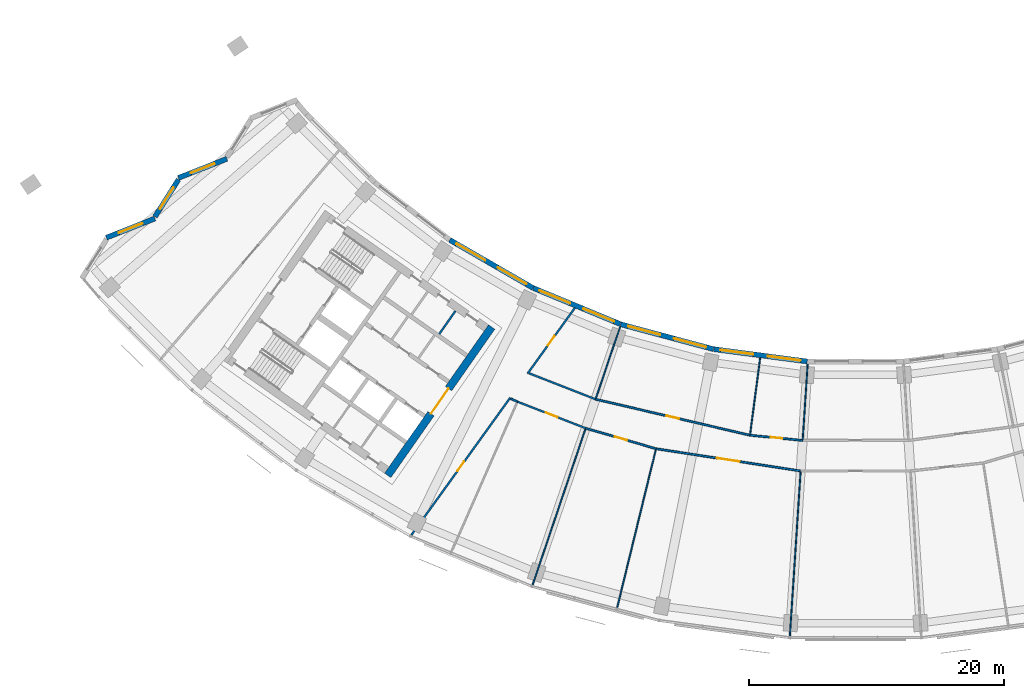
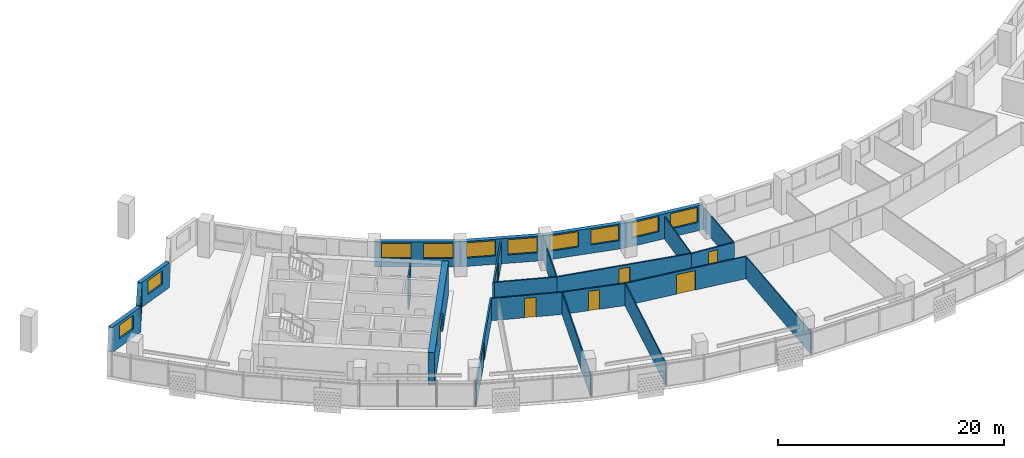
# One storey, part 4 of 26: 24 walls, 11 windows, 8 doors, 19 openings.
"""IFC4 building model written with IfcOpenShell, lengths in metres."""

from ifc_helpers import new_model, si_unit, direction, frame, frame_2d, origin, place, context, subcontext, project, spatial, rectangle, extrude, material, layer, layer_set, type_object, element, fill, save


model = new_model("IFC4")

# Units and contexts
model_context = context("Model", 3, precision=1e-05, world=origin(), true_north=direction((0.0, 1.0)))
body_context = subcontext(model_context, "Body", "Model", "MODEL_VIEW")
ifc_project = project(units=[si_unit("LENGTHUNIT", "METRE"), si_unit("AREAUNIT", "SQUARE_METRE"), si_unit("VOLUMEUNIT", "CUBIC_METRE"), si_unit("PLANEANGLEUNIT", "RADIAN"), si_unit("MASSUNIT", "GRAM", prefix="KILO")], contexts=[model_context])

# Site, building, storey
site_placement = place(None, origin())
site = spatial("IfcSite", under=ifc_project, at=site_placement, CompositionType="ELEMENT")
building_placement = place(site_placement, origin())
building = spatial("IfcBuilding", under=site, at=building_placement, Name="Qamariyya Broadcast Tower", CompositionType="ELEMENT")
storey_placement = place(building_placement, frame((0.0, 0.0, 160.699951171875)))
storey = spatial("IfcBuildingStorey", under=building, at=storey_placement, Name="L37", CompositionType="ELEMENT", Elevation=160.699951171875)

# Wall, opening, door
ifc_material_1 = material(Name="Concrete C60/75", Category="concrete")
ifc_layer_1 = layer(ifc_material_1, 0.60009765625)
ifc_layer_set_1 = layer_set([ifc_layer_1], Name="Core wall 600 mm Concrete C60/75")
wall_type_1 = type_object("IfcWallType", Name="Core wall 600 mm Concrete C60/75", PredefinedType="SHEAR", material=ifc_layer_set_1)
wall_1_placement = place(storey_placement, frame((-36.66748046875, -66.005126953125, 0.0), z_axis=(0.0, 0.0, 1.0), x_axis=(0.573568499524, 0.819157601658, 0.0)))
wall_1 = element("IfcWall", 1, at=wall_1_placement, inside=storey, type_object=wall_type_1, Name="k-W-L37-WA", PredefinedType="SHEAR", context=body_context, shape_type="SweptSolid", body=[
    extrude(rectangle(XDim=14.19970703125, YDim=0.60009765625, at=frame_2d((7.099853515625, 0.0))), origin(), (0.0, 0.0, 1.0), 3.5),
])
opening_1_placement = place(wall_1_placement, frame((5.89990234375, 0.0, 0.0)))
opening_1 = element("IfcOpeningElement", 2, at=opening_1_placement, cuts=wall_1, Name="Opening KD3-W1", PredefinedType="OPENING", context=body_context, shape_type="SweptSolid", body=[
    extrude(rectangle(XDim=2.39990234375, YDim=2.10009765625, at=frame_2d((1.199951171875, 1.050048828125))), frame((0.0, 0.31005859375, 0.0), z_axis=(0.0, -1.0, 0.0), x_axis=(1.0, 0.0, 0.0)), (0.0, 0.0, 1.0), 0.6201171875),
])
ifc_material_2 = material(Name="Steel fire-resisting door leaf", Category="steel")
door_type_1 = type_object("IfcDoorType", Name="Lift lobby door KD3", OperationType="DOUBLE_DOOR_SINGLE_SWING", PredefinedType="DOOR", material=ifc_material_2)
door_1_placement = place(opening_1_placement, origin())
door_1 = element("IfcDoor", 3, at=door_1_placement, inside=storey, type_object=door_type_1, Name="k-W-L37-WA-D1", OperationType="DOUBLE_DOOR_SINGLE_SWING", OverallHeight=2.10009765625, OverallWidth=2.39990234375, PredefinedType="DOOR", context=body_context, shape_type="SweptSolid", body=[
    extrude(rectangle(XDim=2.39990234375, YDim=2.10009765625, at=frame_2d((1.199951171875, 1.050048828125))), frame((0.0, 0.02490234375, 0.0), z_axis=(0.0, -1.0, 0.0), x_axis=(1.0, 0.0, 0.0)), (0.0, 0.0, 1.0), 0.050048828125),
])
fill(opening_1, door_1)

ifc_material_3 = material(Name="Gypsum board partition")
ifc_layer_2 = layer(ifc_material_3, 0.14990234375)
ifc_layer_set_2 = layer_set([ifc_layer_2], Name="Corridor partition 150 EI 60")
wall_type_2 = type_object("IfcWallType", Name="Corridor partition 150 EI 60", PredefinedType="PARTITIONING", material=ifc_layer_set_2)
wall_2_placement = place(storey_placement, frame((-27.056884765625, -59.899169921875, 0.0), z_axis=(0.0, 0.0, 1.0), x_axis=(-0.584166374063, -0.81163393683, 0.0)))
wall_2 = element("IfcWall", 4, at=wall_2_placement, inside=storey, type_object=wall_type_2, Name="Partition L37-003", PredefinedType="PARTITIONING", context=body_context, shape_type="SweptSolid", body=[
    extrude(rectangle(XDim=13.296142578125, YDim=0.14990234375, at=frame_2d((6.64794921875, 0.0))), origin(), (0.0, 0.0, 1.0), 2.400146484375),
])
opening_2_placement = place(wall_2_placement, frame((6.197998046875, 0.0, 0.0)))
opening_2 = element("IfcOpeningElement", 5, at=opening_2_placement, cuts=wall_2, Name="Opening L37-D01", PredefinedType="OPENING", context=body_context, shape_type="SweptSolid", body=[
    extrude(rectangle(XDim=0.89990234375, YDim=2.10009765625, at=frame_2d((0.449951171875, 1.050048828125))), frame((0.0, 0.0849609375, 0.0), z_axis=(0.0, -1.0, 0.0), x_axis=(1.0, 0.0, 0.0)), (0.0, 0.0, 1.0), 0.169921875),
])
ifc_material_4 = material(Name="Timber fire door leaf", Category="wood")
door_type_2 = type_object("IfcDoorType", Name="Fire door 900 x 2100 FD60", OperationType="NOTDEFINED", PredefinedType="DOOR", material=ifc_material_4)
door_2_placement = place(opening_2_placement, origin())
door_2 = element("IfcDoor", 6, at=door_2_placement, inside=storey, type_object=door_type_2, Name="Door L37-D01", OperationType="SINGLE_SWING_RIGHT", OverallHeight=2.10009765625, OverallWidth=0.89990234375, PredefinedType="DOOR", context=body_context, shape_type="SweptSolid", body=[
    extrude(rectangle(XDim=0.89990234375, YDim=2.10009765625, at=frame_2d((0.449951171875, 1.050048828125))), frame((0.0, 0.02490234375, 0.0), z_axis=(0.0, -1.0, 0.0), x_axis=(1.0, 0.0, 0.0)), (0.0, 0.0, 1.0), 0.050048828125),
])
fill(opening_2, door_2)

# Wall
wall_3_placement = place(storey_placement, frame((-27.0322265625, -59.990478515625, 0.0), z_axis=(0.0, 0.0, 1.0), x_axis=(0.913255339256, -0.407387635207, 0.0)))
element("IfcWall", 7, at=wall_3_placement, inside=storey, type_object=wall_type_2, Name="Partition L37-004", PredefinedType="PARTITIONING", context=body_context, shape_type="SweptSolid", body=[
    extrude(rectangle(XDim=0.580078125, YDim=0.14990234375, at=frame_2d((0.2900390625, 0.0))), origin(), (0.0, 0.0, 1.0), 2.400146484375),
])

# Wall, opening, door
wall_4_placement = place(storey_placement, frame((-21.150634765625, -62.30810546875, 0.0), z_axis=(0.0, 0.0, 1.0), x_axis=(-0.932002277836, 0.362452416338, 0.0)))
wall_4 = element("IfcWall", 8, at=wall_4_placement, inside=storey, type_object=wall_type_2, Name="Partition L37-005", PredefinedType="PARTITIONING", context=body_context, shape_type="SweptSolid", body=[
    extrude(rectangle(XDim=5.7421875, YDim=0.14990234375, at=frame_2d((2.87109375, 0.0))), origin(), (0.0, 0.0, 1.0), 2.400146484375),
])
opening_3_placement = place(wall_4_placement, frame((2.37109375, 0.0, 0.0)))
opening_3 = element("IfcOpeningElement", 9, at=opening_3_placement, cuts=wall_4, Name="Opening L37-D02", PredefinedType="OPENING", context=body_context, shape_type="SweptSolid", body=[
    extrude(rectangle(XDim=1.0, YDim=2.10009765625, at=frame_2d((0.5, 1.050048828125))), frame((0.0, 0.0849609375, 0.0), z_axis=(0.0, -1.0, 0.0), x_axis=(1.0, 0.0, 0.0)), (0.0, 0.0, 1.0), 0.169921875),
])
door_type_3 = type_object("IfcDoorType", Name="Fire door 1000 x 2100 FD60", OperationType="NOTDEFINED", PredefinedType="DOOR", material=ifc_material_4)
door_3_placement = place(opening_3_placement, origin())
door_3 = element("IfcDoor", 10, at=door_3_placement, inside=storey, type_object=door_type_3, Name="Door L37-D02", OperationType="SINGLE_SWING_RIGHT", OverallHeight=2.10009765625, OverallWidth=1.0, PredefinedType="DOOR", context=body_context, shape_type="SweptSolid", body=[
    extrude(rectangle(XDim=1.0, YDim=2.10009765625, at=frame_2d((0.5, 1.050048828125))), frame((0.0, 0.02490234375, 0.0), z_axis=(0.0, -1.0, 0.0), x_axis=(1.0, 0.0, 0.0)), (0.0, 0.0, 1.0), 0.050048828125),
])
fill(opening_3, door_3)

# Wall
wall_5_placement = place(storey_placement, frame((-25.599365234375, -57.998291015625, 0.0), z_axis=(0.0, 0.0, 1.0), x_axis=(0.931580498527, -0.363535108021, 0.0)))
element("IfcWall", 11, at=wall_5_placement, inside=storey, type_object=wall_type_2, Name="Partition L37-006", PredefinedType="PARTITIONING", context=body_context, shape_type="SweptSolid", body=[
    extrude(rectangle(XDim=5.603515625, YDim=0.14990234375, at=frame_2d((2.8017578125, 0.0))), origin(), (0.0, 0.0, 1.0), 2.400146484375),
])

# Wall, opening, door
wall_6_placement = place(storey_placement, frame((-22.0, -52.873046875, 0.0), z_axis=(0.0, 0.0, 1.0), x_axis=(-0.58417014289, -0.811631224236, 0.0)))
wall_6 = element("IfcWall", 12, at=wall_6_placement, inside=storey, type_object=wall_type_2, Name="Partition L37-008", PredefinedType="PARTITIONING", context=body_context, shape_type="SweptSolid", body=[
    extrude(rectangle(XDim=6.356201171875, YDim=0.14990234375, at=frame_2d((3.17822265625, 0.0))), origin(), (0.0, 0.0, 1.0), 2.400146484375),
])
opening_4_placement = place(wall_6_placement, frame((2.72802734375, 0.0, 0.0)))
opening_4 = element("IfcOpeningElement", 13, at=opening_4_placement, cuts=wall_6, Name="Opening L37-D08", PredefinedType="OPENING", context=body_context, shape_type="SweptSolid", body=[
    extrude(rectangle(XDim=0.89990234375, YDim=2.10009765625, at=frame_2d((0.449951171875, 1.050048828125))), frame((0.0, 0.0849609375, 0.0), z_axis=(0.0, -1.0, 0.0), x_axis=(1.0, 0.0, 0.0)), (0.0, 0.0, 1.0), 0.169921875),
])
door_4_placement = place(opening_4_placement, origin())
door_4 = element("IfcDoor", 14, at=door_4_placement, inside=storey, type_object=door_type_2, Name="Door L37-D08", OperationType="SINGLE_SWING_RIGHT", OverallHeight=2.10009765625, OverallWidth=0.89990234375, PredefinedType="DOOR", context=body_context, shape_type="SweptSolid", body=[
    extrude(rectangle(XDim=0.89990234375, YDim=2.10009765625, at=frame_2d((0.449951171875, 1.050048828125))), frame((0.0, 0.02490234375, 0.0), z_axis=(0.0, -1.0, 0.0), x_axis=(1.0, 0.0, 0.0)), (0.0, 0.0, 1.0), 0.050048828125),
])
fill(opening_4, door_4)

wall_7_placement = place(storey_placement, frame((-15.637939453125, -63.914794921875, 0.0), z_axis=(0.0, 0.0, 1.0), x_axis=(-0.960055220634, 0.279810602612, 0.0)))
wall_7 = element("IfcWall", 15, at=wall_7_placement, inside=storey, type_object=wall_type_2, Name="Partition L37-009", PredefinedType="PARTITIONING", context=body_context, shape_type="SweptSolid", body=[
    extrude(rectangle(XDim=5.741943359375, YDim=0.14990234375, at=frame_2d((2.87109375, 0.0))), origin(), (0.0, 0.0, 1.0), 2.400146484375),
])
opening_5_placement = place(wall_7_placement, frame((2.37109375, 0.0, 0.0)))
opening_5 = element("IfcOpeningElement", 16, at=opening_5_placement, cuts=wall_7, Name="Opening L37-D03", PredefinedType="OPENING", context=body_context, shape_type="SweptSolid", body=[
    extrude(rectangle(XDim=1.0, YDim=2.10009765625, at=frame_2d((0.5, 1.050048828125))), frame((0.0, 0.0849609375, 0.0), z_axis=(0.0, -1.0, 0.0), x_axis=(1.0, 0.0, 0.0)), (0.0, 0.0, 1.0), 0.169921875),
])
door_5_placement = place(opening_5_placement, origin())
door_5 = element("IfcDoor", 17, at=door_5_placement, inside=storey, type_object=door_type_3, Name="Door L37-D03", OperationType="SINGLE_SWING_RIGHT", OverallHeight=2.10009765625, OverallWidth=1.0, PredefinedType="DOOR", context=body_context, shape_type="SweptSolid", body=[
    extrude(rectangle(XDim=1.0, YDim=2.10009765625, at=frame_2d((0.5, 1.050048828125))), frame((0.0, 0.02490234375, 0.0), z_axis=(0.0, -1.0, 0.0), x_axis=(1.0, 0.0, 0.0)), (0.0, 0.0, 1.0), 0.050048828125),
])
fill(opening_5, door_5)

wall_8_placement = place(storey_placement, frame((-20.379150390625, -60.035400390625, 0.0), z_axis=(0.0, 0.0, 1.0), x_axis=(0.973875828479, -0.227081198483, 0.0)))
wall_8 = element("IfcWall", 18, at=wall_8_placement, inside=storey, type_object=wall_type_2, Name="Partition L37-010", PredefinedType="PARTITIONING", context=body_context, shape_type="SweptSolid", body=[
    extrude(rectangle(XDim=12.428466796875, YDim=0.14990234375, at=frame_2d((6.21435546875, 0.0))), origin(), (0.0, 0.0, 1.0), 2.400146484375),
])
opening_6_placement = place(wall_8_placement, frame((5.71435546875, 0.0, 0.0)))
opening_6 = element("IfcOpeningElement", 19, at=opening_6_placement, cuts=wall_8, Name="Opening L37-D09", PredefinedType="OPENING", context=body_context, shape_type="SweptSolid", body=[
    extrude(rectangle(XDim=1.0, YDim=2.10009765625, at=frame_2d((0.5, 1.050048828125))), frame((0.0, 0.0849609375, 0.0), z_axis=(0.0, -1.0, 0.0), x_axis=(1.0, 0.0, 0.0)), (0.0, 0.0, 1.0), 0.169921875),
])
door_6_placement = place(opening_6_placement, origin())
door_6 = element("IfcDoor", 20, at=door_6_placement, inside=storey, type_object=door_type_3, Name="Door L37-D09", OperationType="SINGLE_SWING_RIGHT", OverallHeight=2.10009765625, OverallWidth=1.0, PredefinedType="DOOR", context=body_context, shape_type="SweptSolid", body=[
    extrude(rectangle(XDim=1.0, YDim=2.10009765625, at=frame_2d((0.5, 1.050048828125))), frame((0.0, 0.02490234375, 0.0), z_axis=(0.0, -1.0, 0.0), x_axis=(1.0, 0.0, 0.0)), (0.0, 0.0, 1.0), 0.050048828125),
])
fill(opening_6, door_6)

wall_9_placement = place(storey_placement, frame((-4.303466796875, -65.6591796875, 0.0), z_axis=(0.0, 0.0, 1.0), x_axis=(-0.988363574422, 0.152109975859, 0.0)))
wall_9 = element("IfcWall", 21, at=wall_9_placement, inside=storey, type_object=wall_type_2, Name="Partition L37-013", PredefinedType="PARTITIONING", context=body_context, shape_type="SweptSolid", body=[
    extrude(rectangle(XDim=11.468017578125, YDim=0.14990234375, at=frame_2d((5.73388671875, 0.0))), origin(), (0.0, 0.0, 1.0), 2.400146484375),
])
opening_7_placement = place(wall_9_placement, frame((4.833984375, 0.0, 0.0)))
opening_7 = element("IfcOpeningElement", 22, at=opening_7_placement, cuts=wall_9, Name="Opening L37-D04", PredefinedType="OPENING", context=body_context, shape_type="SweptSolid", body=[
    extrude(rectangle(XDim=1.800048828125, YDim=2.10009765625, at=frame_2d((0.89990234375, 1.050048828125))), frame((0.0, 0.0849609375, 0.0), z_axis=(0.0, -1.0, 0.0), x_axis=(1.0, 0.0, 0.0)), (0.0, 0.0, 1.0), 0.169921875),
])
door_type_4 = type_object("IfcDoorType", Name="Double fire door 1800 x 2100 FD60", OperationType="NOTDEFINED", PredefinedType="DOOR", material=ifc_material_4)
door_7_placement = place(opening_7_placement, origin())
door_7 = element("IfcDoor", 23, at=door_7_placement, inside=storey, type_object=door_type_4, Name="Door L37-D04", OperationType="DOUBLE_DOOR_SINGLE_SWING", OverallHeight=2.10009765625, OverallWidth=1.800048828125, PredefinedType="DOOR", context=body_context, shape_type="SweptSolid", body=[
    extrude(rectangle(XDim=1.800048828125, YDim=2.10009765625, at=frame_2d((0.89990234375, 1.050048828125))), frame((0.0, 0.02490234375, 0.0), z_axis=(0.0, -1.0, 0.0), x_axis=(1.0, 0.0, 0.0)), (0.0, 0.0, 1.0), 0.050048828125),
])
fill(opening_7, door_7)

wall_10_placement = place(storey_placement, frame((-8.275390625, -62.857666015625, 0.0), z_axis=(0.0, 0.0, 1.0), x_axis=(0.995188667069, -0.097977124567, 0.0)))
wall_10 = element("IfcWall", 24, at=wall_10_placement, inside=storey, type_object=wall_type_2, Name="Partition L37-014", PredefinedType="PARTITIONING", context=body_context, shape_type="SweptSolid", body=[
    extrude(rectangle(XDim=4.14892578125, YDim=0.14990234375, at=frame_2d((2.074462890625, 0.0))), origin(), (0.0, 0.0, 1.0), 2.400146484375),
])
opening_8_placement = place(wall_10_placement, frame((1.62451171875, 0.0, 0.0)))
opening_8 = element("IfcOpeningElement", 25, at=opening_8_placement, cuts=wall_10, Name="Opening L37-D10", PredefinedType="OPENING", context=body_context, shape_type="SweptSolid", body=[
    extrude(rectangle(XDim=0.89990234375, YDim=2.10009765625, at=frame_2d((0.449951171875, 1.050048828125))), frame((0.0, 0.0849609375, 0.0), z_axis=(0.0, -1.0, 0.0), x_axis=(1.0, 0.0, 0.0)), (0.0, 0.0, 1.0), 0.169921875),
])
door_8_placement = place(opening_8_placement, origin())
door_8 = element("IfcDoor", 26, at=door_8_placement, inside=storey, type_object=door_type_2, Name="Door L37-D10", OperationType="SINGLE_SWING_RIGHT", OverallHeight=2.10009765625, OverallWidth=0.89990234375, PredefinedType="DOOR", context=body_context, shape_type="SweptSolid", body=[
    extrude(rectangle(XDim=0.89990234375, YDim=2.10009765625, at=frame_2d((0.449951171875, 1.050048828125))), frame((0.0, 0.02490234375, 0.0), z_axis=(0.0, -1.0, 0.0), x_axis=(1.0, 0.0, 0.0)), (0.0, 0.0, 1.0), 0.050048828125),
])
fill(opening_8, door_8)

# Walls
ifc_material_5 = material(Name="Gypsum board partition on steel studs", Category="steel")
ifc_layer_3 = layer(ifc_material_5, 0.14990234375)
ifc_layer_set_3 = layer_set([ifc_layer_3], Name="Gypsum board partition 150 mm")
wall_type_3 = type_object("IfcWallType", Name="Gypsum board partition 150 mm", PredefinedType="PARTITIONING", material=ifc_layer_set_3)
wall_11_placement = place(storey_placement, frame((-32.627197265625, -54.91748046875, 0.0), z_axis=(0.0, 0.0, 1.0), x_axis=(0.573507030513, 0.819200638399, 0.0)))
element("IfcWall", 27, at=wall_11_placement, inside=storey, type_object=wall_type_3, Name="k-W-L37-NP275", PredefinedType="PARTITIONING", context=body_context, shape_type="SweptSolid", body=[
    extrude(rectangle(XDim=2.199951171875, YDim=0.14990234375, at=frame_2d((1.10009765625, 0.0))), origin(), (0.0, 0.0, 1.0), 3.5),
])
ifc_layer_4 = layer(ifc_material_3, 0.10009765625)
ifc_layer_set_4 = layer_set([ifc_layer_4], Name="Partition 100")
wall_type_4 = type_object("IfcWallType", Name="Partition 100", PredefinedType="PARTITIONING", material=ifc_layer_set_4)
wall_12_placement = place(storey_placement, frame((-25.329345703125, -74.6181640625, 0.0), z_axis=(0.0, 0.0, 1.0), x_axis=(0.321430642641, 0.946933124339, 0.0)))
element("IfcWall", 28, at=wall_12_placement, inside=storey, type_object=wall_type_4, Name="Partition L37-007", PredefinedType="PARTITIONING", context=body_context, shape_type="SweptSolid", body=[
    extrude(rectangle(XDim=12.925048828125, YDim=0.10009765625, at=frame_2d((6.46240234375, 0.0))), origin(), (0.0, 0.0, 1.0), 2.400146484375),
])
wall_13_placement = place(storey_placement, frame((-18.69189453125, -76.396240234375, 0.0), z_axis=(0.0, 0.0, 1.0), x_axis=(0.237667084027, 0.971346671982, 0.0)))
element("IfcWall", 29, at=wall_13_placement, inside=storey, type_object=wall_type_4, Name="Partition L37-011", PredefinedType="PARTITIONING", context=body_context, shape_type="SweptSolid", body=[
    extrude(rectangle(XDim=12.774658203125, YDim=0.10009765625, at=frame_2d((6.38720703125, 0.0))), origin(), (0.0, 0.0, 1.0), 2.400146484375),
])
wall_14_placement = place(storey_placement, frame((-18.45068359375, -54.353759765625, 0.0), z_axis=(0.0, 0.0, 1.0), x_axis=(-0.321439527266, -0.946930108461, 0.0)))
element("IfcWall", 30, at=wall_14_placement, inside=storey, type_object=wall_type_4, Name="Partition L37-012", PredefinedType="PARTITIONING", context=body_context, shape_type="SweptSolid", body=[
    extrude(rectangle(XDim=5.925048828125, YDim=0.10009765625, at=frame_2d((2.96240234375, 0.0))), origin(), (0.0, 0.0, 1.0), 2.400146484375),
])
wall_15_placement = place(storey_placement, frame((-7.476318359375, -56.787841796875, 0.0), z_axis=(0.0, 0.0, 1.0), x_axis=(-0.130526573864, -0.991444811129, 0.0)))
element("IfcWall", 31, at=wall_15_placement, inside=storey, type_object=wall_type_4, Name="Partition L37-015", PredefinedType="PARTITIONING", context=body_context, shape_type="SweptSolid", body=[
    extrude(rectangle(XDim=6.047119140625, YDim=0.10009765625, at=frame_2d((3.0234375, 0.0))), origin(), (0.0, 0.0, 1.0), 2.400146484375),
])
wall_16_placement = place(storey_placement, frame((-5.15380859375, -78.63134765625, 0.0), z_axis=(0.0, 0.0, 1.0), x_axis=(0.065411967988, 0.997858343877, 0.0)))
element("IfcWall", 32, at=wall_16_placement, inside=storey, type_object=wall_type_4, Name="Partition L37-016", PredefinedType="PARTITIONING", context=body_context, shape_type="SweptSolid", body=[
    extrude(rectangle(XDim=12.925048828125, YDim=0.10009765625, at=frame_2d((6.46240234375, 0.0))), origin(), (0.0, 0.0, 1.0), 2.400146484375),
])
wall_17_placement = place(storey_placement, frame((-3.754150390625, -57.277099609375, 0.0), z_axis=(0.0, 0.0, 1.0), x_axis=(-0.065392214001, -0.997859638601, 0.0)))
element("IfcWall", 33, at=wall_17_placement, inside=storey, type_object=wall_type_4, Name="Partition L37-019", PredefinedType="PARTITIONING", context=body_context, shape_type="SweptSolid", body=[
    extrude(rectangle(XDim=5.925048828125, YDim=0.10009765625, at=frame_2d((2.96240234375, 0.0))), origin(), (0.0, 0.0, 1.0), 2.400146484375),
])

# Wall, opening, window
ifc_material_6 = material(Name="Terracotta", Category="masonry")
ifc_layer_5 = layer(ifc_material_6, 0.39990234375)
ifc_layer_set_5 = layer_set([ifc_layer_5], Name="Terracotta clad wall 400")
wall_type_5 = type_object("IfcWallType", Name="Terracotta clad wall 400", PredefinedType="SOLIDWALL", material=ifc_layer_set_5)
wall_18_placement = place(storey_placement, frame((-49.273193359375, -41.18701171875, 0.0), z_axis=(0.0, 0.0, 1.0), x_axis=(-0.930412095736, -0.366515118527, 0.0)))
wall_18 = element("IfcWall", 34, at=wall_18_placement, inside=storey, type_object=wall_type_5, Name="e-wl-L37-capW2", PredefinedType="SOLIDWALL", context=body_context, shape_type="SweptSolid", body=[
    extrude(rectangle(XDim=4.087890625, YDim=0.39990234375, at=frame_2d((2.0439453125, 0.0))), origin(), (0.0, 0.0, 1.0), 2.699951171875),
])
opening_9_placement = place(wall_18_placement, frame((1.0439453125, 0.0, 0.89990234375)))
opening_9 = element("IfcOpeningElement", 35, at=opening_9_placement, cuts=wall_18, Name="Opening W4", PredefinedType="OPENING", context=body_context, shape_type="SweptSolid", body=[
    extrude(rectangle(XDim=2.0, YDim=1.5, at=frame_2d((1.0, 0.75))), frame((0.0, 0.2099609375, 0.0), z_axis=(0.0, -1.0, 0.0), x_axis=(1.0, 0.0, 0.0)), (0.0, 0.0, 1.0), 0.419921875),
])
ifc_material_7 = material(Name="Clear low-e double glazed unit in aluminium frame", Category="aluminium")
window_type_1 = type_object("IfcWindowType", Name="Horn bay window 2000 x 1500", PartitioningType="SINGLE_PANEL", PredefinedType="WINDOW", material=ifc_material_7)
window_1_placement = place(opening_9_placement, origin())
window_1 = element("IfcWindow", 36, at=window_1_placement, inside=storey, type_object=window_type_1, Name="e-w-L37-capW2", OverallHeight=1.5, OverallWidth=2.0, PartitioningType="SINGLE_PANEL", PredefinedType="WINDOW", context=body_context, shape_type="SweptSolid", body=[
    extrude(rectangle(XDim=2.0, YDim=1.5, at=frame_2d((1.0, 0.75))), frame((0.0, 0.030029296875, 0.0), z_axis=(0.0, -1.0, 0.0), x_axis=(1.0, 0.0, 0.0)), (0.0, 0.0, 1.0), 0.06005859375),
])
fill(opening_9, window_1)

wall_19_placement = place(storey_placement, frame((-53.07958984375, -42.82275390625, 0.0), z_axis=(0.0, 0.0, 1.0), x_axis=(-0.533701792267, -0.84567274813, 0.0)))
wall_19 = element("IfcWall", 37, at=wall_19_placement, inside=storey, type_object=wall_type_5, Name="e-wl-L37-capW3", PredefinedType="SOLIDWALL", context=body_context, shape_type="SweptSolid", body=[
    extrude(rectangle(XDim=3.438720703125, YDim=0.39990234375, at=frame_2d((1.71923828125, 0.0))), origin(), (0.0, 0.0, 1.0), 2.699951171875),
])
opening_10_placement = place(wall_19_placement, frame((0.71923828125, 0.0, 0.89990234375)))
opening_10 = element("IfcOpeningElement", 38, at=opening_10_placement, cuts=wall_19, Name="Opening W4", PredefinedType="OPENING", context=body_context, shape_type="SweptSolid", body=[
    extrude(rectangle(XDim=2.0, YDim=1.5, at=frame_2d((1.0, 0.75))), frame((0.0, 0.2099609375, 0.0), z_axis=(0.0, -1.0, 0.0), x_axis=(1.0, 0.0, 0.0)), (0.0, 0.0, 1.0), 0.419921875),
])
window_2_placement = place(opening_10_placement, origin())
window_2 = element("IfcWindow", 39, at=window_2_placement, inside=storey, type_object=window_type_1, Name="e-w-L37-capW3", OverallHeight=1.5, OverallWidth=2.0, PartitioningType="SINGLE_PANEL", PredefinedType="WINDOW", context=body_context, shape_type="SweptSolid", body=[
    extrude(rectangle(XDim=2.0, YDim=1.5, at=frame_2d((1.0, 0.75))), frame((0.0, 0.030029296875, 0.0), z_axis=(0.0, -1.0, 0.0), x_axis=(1.0, 0.0, 0.0)), (0.0, 0.0, 1.0), 0.06005859375),
])
fill(opening_10, window_2)

wall_20_placement = place(storey_placement, frame((-54.917724609375, -45.868408203125, 0.0), z_axis=(0.0, 0.0, 1.0), x_axis=(-0.930375070021, -0.366609095747, 0.0)))
wall_20 = element("IfcWall", 40, at=wall_20_placement, inside=storey, type_object=wall_type_5, Name="e-wl-L37-capW4", PredefinedType="SOLIDWALL", context=body_context, shape_type="SweptSolid", body=[
    extrude(rectangle(XDim=4.0888671875, YDim=0.39990234375, at=frame_2d((2.04443359375, 0.0))), origin(), (0.0, 0.0, 1.0), 2.699951171875),
])
opening_11_placement = place(wall_20_placement, frame((1.04443359375, 0.0, 0.89990234375)))
opening_11 = element("IfcOpeningElement", 41, at=opening_11_placement, cuts=wall_20, Name="Opening W4", PredefinedType="OPENING", context=body_context, shape_type="SweptSolid", body=[
    extrude(rectangle(XDim=2.0, YDim=1.5, at=frame_2d((1.0, 0.75))), frame((0.0, 0.2099609375, 0.0), z_axis=(0.0, -1.0, 0.0), x_axis=(1.0, 0.0, 0.0)), (0.0, 0.0, 1.0), 0.419921875),
])
window_3_placement = place(opening_11_placement, origin())
window_3 = element("IfcWindow", 42, at=window_3_placement, inside=storey, type_object=window_type_1, Name="e-w-L37-capW4", OverallHeight=1.5, OverallWidth=2.0, PartitioningType="SINGLE_PANEL", PredefinedType="WINDOW", context=body_context, shape_type="SweptSolid", body=[
    extrude(rectangle(XDim=2.0, YDim=1.5, at=frame_2d((1.0, 0.75))), frame((0.0, 0.030029296875, 0.0), z_axis=(0.0, -1.0, 0.0), x_axis=(1.0, 0.0, 0.0)), (0.0, 0.0, 1.0), 0.06005859375),
])
fill(opening_11, window_3)

# Wall, openings, windows
wall_21_placement = place(storey_placement, frame((-25.27734375, -51.31396484375, 0.0), z_axis=(0.0, 0.0, 1.0), x_axis=(-0.866028517328, 0.499994607145, 0.0)))
wall_21 = element("IfcWall", 43, at=wall_21_placement, inside=storey, type_object=wall_type_5, Name="e-wl-L37-in30", PredefinedType="SOLIDWALL", context=body_context, shape_type="SweptSolid", body=[
    extrude(rectangle(XDim=7.5322265625, YDim=0.39990234375, at=frame_2d((3.76611328125, 0.0))), origin(), (0.0, 0.0, 1.0), 2.699951171875),
])
opening_12_placement = place(wall_21_placement, frame((4.330078125, 0.0, 0.89990234375)))
opening_12 = element("IfcOpeningElement", 44, at=opening_12_placement, cuts=wall_21, Name="Opening W1", PredefinedType="OPENING", context=body_context, shape_type="SweptSolid", body=[
    extrude(rectangle(XDim=2.60009765625, YDim=1.64990234375, at=frame_2d((1.300048828125, 0.824951171875))), frame((0.0, 0.2099609375, 0.0), z_axis=(0.0, -1.0, 0.0), x_axis=(1.0, 0.0, 0.0)), (0.0, 0.0, 1.0), 0.419921875),
])
opening_13_placement = place(wall_21_placement, frame((0.60205078125, 0.0, 0.89990234375)))
opening_13 = element("IfcOpeningElement", 45, at=opening_13_placement, cuts=wall_21, Name="Opening W1", PredefinedType="OPENING", context=body_context, shape_type="SweptSolid", body=[
    extrude(rectangle(XDim=2.60009765625, YDim=1.64990234375, at=frame_2d((1.300048828125, 0.824951171875))), frame((0.0, 0.2099609375, 0.0), z_axis=(0.0, -1.0, 0.0), x_axis=(1.0, 0.0, 0.0)), (0.0, 0.0, 1.0), 0.419921875),
])
window_type_2 = type_object("IfcWindowType", Name="Ribbon window 2600 x 1650", PartitioningType="SINGLE_PANEL", PredefinedType="WINDOW", material=ifc_material_7)
window_4_placement = place(opening_12_placement, origin())
window_4 = element("IfcWindow", 46, at=window_4_placement, inside=storey, type_object=window_type_2, Name="e-w-L37-in03-0", OverallHeight=1.64990234375, OverallWidth=2.60009765625, PartitioningType="SINGLE_PANEL", PredefinedType="WINDOW", context=body_context, shape_type="SweptSolid", body=[
    extrude(rectangle(XDim=2.60009765625, YDim=1.64990234375, at=frame_2d((1.300048828125, 0.824951171875))), frame((0.0, 0.030029296875, 0.0), z_axis=(0.0, -1.0, 0.0), x_axis=(1.0, 0.0, 0.0)), (0.0, 0.0, 1.0), 0.06005859375),
])
fill(opening_12, window_4)
window_5_placement = place(opening_13_placement, origin())
window_5 = element("IfcWindow", 47, at=window_5_placement, inside=storey, type_object=window_type_2, Name="e-w-L37-in03-1", OverallHeight=1.64990234375, OverallWidth=2.60009765625, PartitioningType="SINGLE_PANEL", PredefinedType="WINDOW", context=body_context, shape_type="SweptSolid", body=[
    extrude(rectangle(XDim=2.60009765625, YDim=1.64990234375, at=frame_2d((1.300048828125, 0.824951171875))), frame((0.0, 0.030029296875, 0.0), z_axis=(0.0, -1.0, 0.0), x_axis=(1.0, 0.0, 0.0)), (0.0, 0.0, 1.0), 0.06005859375),
])
fill(opening_13, window_5)

wall_22_placement = place(storey_placement, frame((-18.433349609375, -54.1455078125, 0.0), z_axis=(0.0, 0.0, 1.0), x_axis=(-0.923867659443, 0.382712095229, 0.0)))
wall_22 = element("IfcWall", 48, at=wall_22_placement, inside=storey, type_object=wall_type_5, Name="e-wl-L37-in40", PredefinedType="SOLIDWALL", context=body_context, shape_type="SweptSolid", body=[
    extrude(rectangle(XDim=7.380859375, YDim=0.39990234375, at=frame_2d((3.6904296875, 0.0))), origin(), (0.0, 0.0, 1.0), 2.699951171875),
])
opening_14_placement = place(wall_22_placement, frame((4.25439453125, 0.0, 0.89990234375)))
opening_14 = element("IfcOpeningElement", 49, at=opening_14_placement, cuts=wall_22, Name="Opening W1", PredefinedType="OPENING", context=body_context, shape_type="SweptSolid", body=[
    extrude(rectangle(XDim=2.60009765625, YDim=1.64990234375, at=frame_2d((1.300048828125, 0.824951171875))), frame((0.0, 0.2099609375, 0.0), z_axis=(0.0, -1.0, 0.0), x_axis=(1.0, 0.0, 0.0)), (0.0, 0.0, 1.0), 0.419921875),
])
opening_15_placement = place(wall_22_placement, frame((0.5263671875, 0.0, 0.89990234375)))
opening_15 = element("IfcOpeningElement", 50, at=opening_15_placement, cuts=wall_22, Name="Opening W1", PredefinedType="OPENING", context=body_context, shape_type="SweptSolid", body=[
    extrude(rectangle(XDim=2.60009765625, YDim=1.64990234375, at=frame_2d((1.300048828125, 0.824951171875))), frame((0.0, 0.2099609375, 0.0), z_axis=(0.0, -1.0, 0.0), x_axis=(1.0, 0.0, 0.0)), (0.0, 0.0, 1.0), 0.419921875),
])
window_6_placement = place(opening_14_placement, origin())
window_6 = element("IfcWindow", 51, at=window_6_placement, inside=storey, type_object=window_type_2, Name="e-w-L37-in04-0", OverallHeight=1.64990234375, OverallWidth=2.60009765625, PartitioningType="SINGLE_PANEL", PredefinedType="WINDOW", context=body_context, shape_type="SweptSolid", body=[
    extrude(rectangle(XDim=2.60009765625, YDim=1.64990234375, at=frame_2d((1.300048828125, 0.824951171875))), frame((0.0, 0.030029296875, 0.0), z_axis=(0.0, -1.0, 0.0), x_axis=(1.0, 0.0, 0.0)), (0.0, 0.0, 1.0), 0.06005859375),
])
fill(opening_14, window_6)
window_7_placement = place(opening_15_placement, origin())
window_7 = element("IfcWindow", 52, at=window_7_placement, inside=storey, type_object=window_type_2, Name="e-w-L37-in04-1", OverallHeight=1.64990234375, OverallWidth=2.60009765625, PartitioningType="SINGLE_PANEL", PredefinedType="WINDOW", context=body_context, shape_type="SweptSolid", body=[
    extrude(rectangle(XDim=2.60009765625, YDim=1.64990234375, at=frame_2d((1.300048828125, 0.824951171875))), frame((0.0, 0.030029296875, 0.0), z_axis=(0.0, -1.0, 0.0), x_axis=(1.0, 0.0, 0.0)), (0.0, 0.0, 1.0), 0.06005859375),
])
fill(opening_15, window_7)

wall_23_placement = place(storey_placement, frame((-11.135009765625, -56.10791015625, 0.0), z_axis=(0.0, 0.0, 1.0), x_axis=(-0.965927073219, 0.258814391452, 0.0)))
wall_23 = element("IfcWall", 53, at=wall_23_placement, inside=storey, type_object=wall_type_5, Name="e-wl-L37-in50", PredefinedType="SOLIDWALL", context=body_context, shape_type="SweptSolid", body=[
    extrude(rectangle(XDim=7.5322265625, YDim=0.39990234375, at=frame_2d((3.76611328125, 0.0))), origin(), (0.0, 0.0, 1.0), 2.699951171875),
])
opening_16_placement = place(wall_23_placement, frame((4.330078125, 0.0, 0.89990234375)))
opening_16 = element("IfcOpeningElement", 54, at=opening_16_placement, cuts=wall_23, Name="Opening W1", PredefinedType="OPENING", context=body_context, shape_type="SweptSolid", body=[
    extrude(rectangle(XDim=2.60009765625, YDim=1.64990234375, at=frame_2d((1.300048828125, 0.824951171875))), frame((0.0, 0.2099609375, 0.0), z_axis=(0.0, -1.0, 0.0), x_axis=(1.0, 0.0, 0.0)), (0.0, 0.0, 1.0), 0.419921875),
])
opening_17_placement = place(wall_23_placement, frame((0.60205078125, 0.0, 0.89990234375)))
opening_17 = element("IfcOpeningElement", 55, at=opening_17_placement, cuts=wall_23, Name="Opening W1", PredefinedType="OPENING", context=body_context, shape_type="SweptSolid", body=[
    extrude(rectangle(XDim=2.60009765625, YDim=1.64990234375, at=frame_2d((1.300048828125, 0.824951171875))), frame((0.0, 0.2099609375, 0.0), z_axis=(0.0, -1.0, 0.0), x_axis=(1.0, 0.0, 0.0)), (0.0, 0.0, 1.0), 0.419921875),
])
window_8_placement = place(opening_16_placement, origin())
window_8 = element("IfcWindow", 56, at=window_8_placement, inside=storey, type_object=window_type_2, Name="e-w-L37-in05-0", OverallHeight=1.64990234375, OverallWidth=2.60009765625, PartitioningType="SINGLE_PANEL", PredefinedType="WINDOW", context=body_context, shape_type="SweptSolid", body=[
    extrude(rectangle(XDim=2.60009765625, YDim=1.64990234375, at=frame_2d((1.300048828125, 0.824951171875))), frame((0.0, 0.030029296875, 0.0), z_axis=(0.0, -1.0, 0.0), x_axis=(1.0, 0.0, 0.0)), (0.0, 0.0, 1.0), 0.06005859375),
])
fill(opening_16, window_8)
window_9_placement = place(opening_17_placement, origin())
window_9 = element("IfcWindow", 57, at=window_9_placement, inside=storey, type_object=window_type_2, Name="e-w-L37-in05-1", OverallHeight=1.64990234375, OverallWidth=2.60009765625, PartitioningType="SINGLE_PANEL", PredefinedType="WINDOW", context=body_context, shape_type="SweptSolid", body=[
    extrude(rectangle(XDim=2.60009765625, YDim=1.64990234375, at=frame_2d((1.300048828125, 0.824951171875))), frame((0.0, 0.030029296875, 0.0), z_axis=(0.0, -1.0, 0.0), x_axis=(1.0, 0.0, 0.0)), (0.0, 0.0, 1.0), 0.06005859375),
])
fill(opening_17, window_9)

wall_24_placement = place(storey_placement, frame((-3.79150390625, -57.0712890625, 0.0), z_axis=(0.0, 0.0, 1.0), x_axis=(-0.99144438474, 0.130529812564, 0.0)))
wall_24 = element("IfcWall", 58, at=wall_24_placement, inside=storey, type_object=wall_type_5, Name="e-wl-L37-in60", PredefinedType="SOLIDWALL", context=body_context, shape_type="SweptSolid", body=[
    extrude(rectangle(XDim=7.380615234375, YDim=0.39990234375, at=frame_2d((3.6904296875, 0.0))), origin(), (0.0, 0.0, 1.0), 2.699951171875),
])
opening_18_placement = place(wall_24_placement, frame((4.25439453125, 0.0, 0.89990234375)))
opening_18 = element("IfcOpeningElement", 59, at=opening_18_placement, cuts=wall_24, Name="Opening W1", PredefinedType="OPENING", context=body_context, shape_type="SweptSolid", body=[
    extrude(rectangle(XDim=2.60009765625, YDim=1.64990234375, at=frame_2d((1.300048828125, 0.824951171875))), frame((0.0, 0.2099609375, 0.0), z_axis=(0.0, -1.0, 0.0), x_axis=(1.0, 0.0, 0.0)), (0.0, 0.0, 1.0), 0.419921875),
])
opening_19_placement = place(wall_24_placement, frame((0.5263671875, 0.0, 0.89990234375)))
opening_19 = element("IfcOpeningElement", 60, at=opening_19_placement, cuts=wall_24, Name="Opening W1", PredefinedType="OPENING", context=body_context, shape_type="SweptSolid", body=[
    extrude(rectangle(XDim=2.60009765625, YDim=1.64990234375, at=frame_2d((1.300048828125, 0.824951171875))), frame((0.0, 0.2099609375, 0.0), z_axis=(0.0, -1.0, 0.0), x_axis=(1.0, 0.0, 0.0)), (0.0, 0.0, 1.0), 0.419921875),
])
window_10_placement = place(opening_18_placement, origin())
window_10 = element("IfcWindow", 61, at=window_10_placement, inside=storey, type_object=window_type_2, Name="e-w-L37-in06-0", OverallHeight=1.64990234375, OverallWidth=2.60009765625, PartitioningType="SINGLE_PANEL", PredefinedType="WINDOW", context=body_context, shape_type="SweptSolid", body=[
    extrude(rectangle(XDim=2.60009765625, YDim=1.64990234375, at=frame_2d((1.300048828125, 0.824951171875))), frame((0.0, 0.030029296875, 0.0), z_axis=(0.0, -1.0, 0.0), x_axis=(1.0, 0.0, 0.0)), (0.0, 0.0, 1.0), 0.06005859375),
])
fill(opening_18, window_10)
window_11_placement = place(opening_19_placement, origin())
window_11 = element("IfcWindow", 62, at=window_11_placement, inside=storey, type_object=window_type_2, Name="e-w-L37-in06-1", OverallHeight=1.64990234375, OverallWidth=2.60009765625, PartitioningType="SINGLE_PANEL", PredefinedType="WINDOW", context=body_context, shape_type="SweptSolid", body=[
    extrude(rectangle(XDim=2.60009765625, YDim=1.64990234375, at=frame_2d((1.300048828125, 0.824951171875))), frame((0.0, 0.030029296875, 0.0), z_axis=(0.0, -1.0, 0.0), x_axis=(1.0, 0.0, 0.0)), (0.0, 0.0, 1.0), 0.06005859375),
])
fill(opening_19, window_11)

save(model, "model.ifc")
